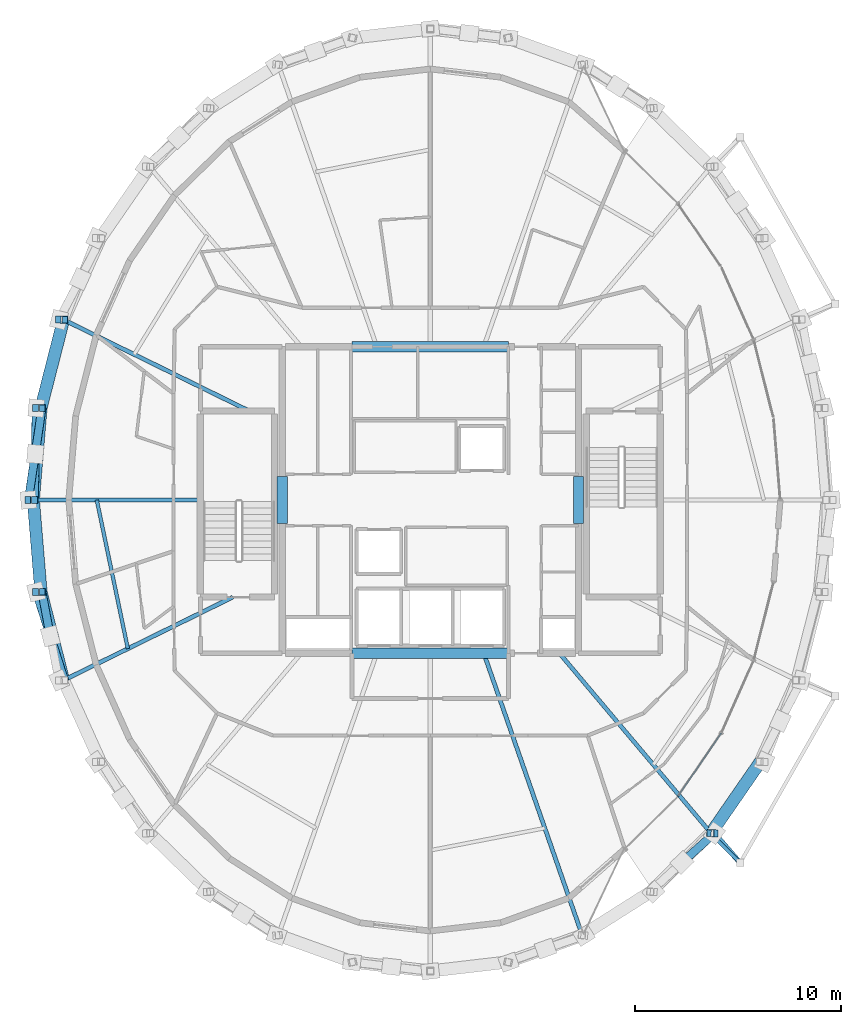
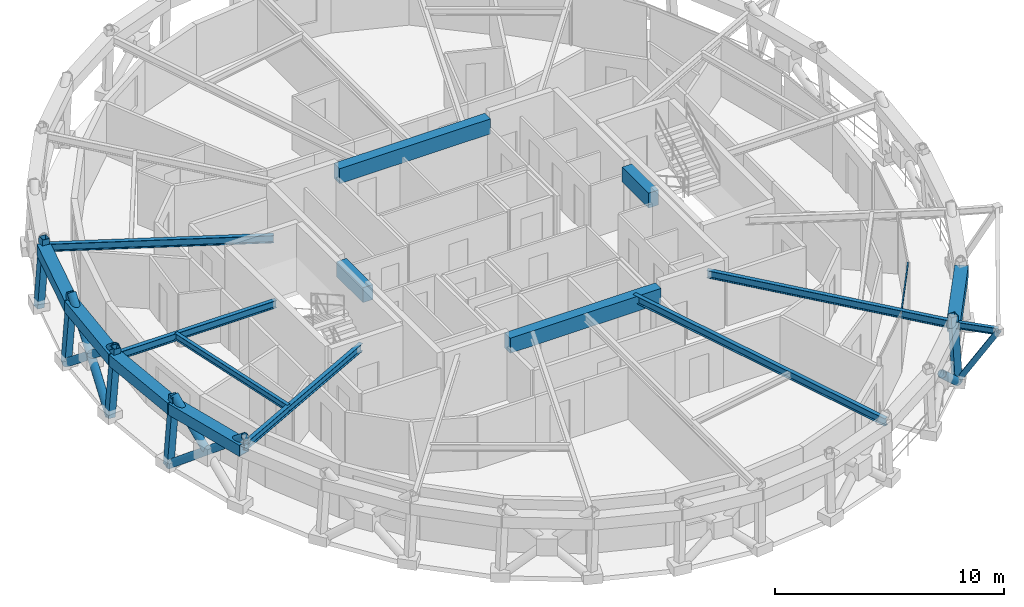
# One storey, part 3 of 14: 16 beams, 13 members, 1 element without a shape of its own.
"""IFC4 building model written with IfcOpenShell, lengths in metres."""

from ifc_helpers import new_model, si_unit, direction, frame, origin, origin_2d, place, context, subcontext, project, spatial, rectangle, hollow_rectangle, hollow_circle, i_section, extrude, material, layer, layer_set, material_profile, profile_set, type_object, element, aggregate, save


model = new_model("IFC4")

# Units and contexts
model_context = context("Model", 3, precision=1e-05, world=origin(), true_north=direction((0.0, 1.0)))
body_context = subcontext(model_context, "Body", "Model", "MODEL_VIEW")
ifc_project = project(units=[si_unit("LENGTHUNIT", "METRE"), si_unit("AREAUNIT", "SQUARE_METRE"), si_unit("VOLUMEUNIT", "CUBIC_METRE"), si_unit("PLANEANGLEUNIT", "RADIAN"), si_unit("MASSUNIT", "GRAM", prefix="KILO")], contexts=[model_context])

# Site, building, storey
site_placement = place(None, origin())
site = spatial("IfcSite", under=ifc_project, at=site_placement, CompositionType="ELEMENT")
building_placement = place(site_placement, origin())
building = spatial("IfcBuilding", under=site, at=building_placement, Name="Veldorina Hangang Commons", CompositionType="ELEMENT")
storey_placement = place(building_placement, frame((0.0, 0.0, 294.0)))
storey = spatial("IfcBuildingStorey", under=building, at=storey_placement, Name="L77", CompositionType="ELEMENT", Elevation=294.0)

# Beams
ifc_material_1 = material(Name="Steel SM460-TMC", Category="steel")
ifc_material_profile_1 = material_profile(ifc_material_1, hollow_rectangle(XDim=0.60009765625, YDim=0.60009765625, WallThickness=0.030029296875, at=origin_2d()), Name="BOX-600x600x30")
ifc_profile_set_1 = profile_set([ifc_material_profile_1], Name="Steel SM460-TMC")
beam_type_1 = type_object("IfcBeamType", Name="BM-BLT600", PredefinedType="BEAM", material=ifc_profile_set_1)
beam_1_placement = place(storey_placement, frame((14.17138671875, 32.764404296875, 3.0), z_axis=(-0.24768784321, -0.968839889933, 0.0), x_axis=(0.968839889933, -0.24768784321, 0.0)))
element("IfcBeam", 1, at=beam_1_placement, inside=storey, type_object=beam_type_1, Name="L77 perimeter hoop ring beam 14", PredefinedType="BEAM", context=body_context, shape_type="SweptSolid", body=[
    extrude(hollow_rectangle(XDim=0.60009765625, YDim=0.60009765625, WallThickness=0.030029296875, at=origin_2d()), origin(), (0.0, 0.0, 1.0), 4.4345703125),
])
for number, where, z_axis, x_axis, name in (
    (2, (13.072998046875, 28.468017578125, 3.0), (-0.082662412247, -0.996577606412, 0.0), (0.996577606412, -0.082662412247, 0.0), "L77 perimeter hoop ring beam 15"),
    (3, (12.702392578125, 24.0, 3.0), (0.082662412247, -0.996577606412, 0.0), (0.996577606412, 0.082662412247, 0.0), "L77 perimeter hoop ring beam 16"),
):
    element("IfcBeam", number, at=place(storey_placement, frame(where, z_axis=z_axis, x_axis=x_axis)), inside=storey, type_object=beam_type_1, Name=name, PredefinedType="BEAM", context=body_context, shape_type="SweptSolid", body=[
        extrude(hollow_rectangle(XDim=0.60009765625, YDim=0.60009765625, WallThickness=0.030029296875, at=origin_2d()), origin(), (0.0, 0.0, 1.0), 4.4833984375),
    ])
beam_2_placement = place(storey_placement, frame((13.072998046875, 19.531982421875, 3.0), z_axis=(0.24768784321, -0.968839889933, 0.0), x_axis=(0.968839889933, 0.24768784321, 0.0)))
element("IfcBeam", 4, at=beam_2_placement, inside=storey, type_object=beam_type_1, Name="L77 perimeter hoop ring beam 17", PredefinedType="BEAM", context=body_context, shape_type="SweptSolid", body=[
    extrude(hollow_rectangle(XDim=0.60009765625, YDim=0.60009765625, WallThickness=0.030029296875, at=origin_2d()), origin(), (0.0, 0.0, 1.0), 4.4345703125),
])
beam_3_placement = place(storey_placement, frame((45.6455078125, 7.805908203125, 3.0), z_axis=(0.56877362676, 0.822494110315, 0.0), x_axis=(-0.822494110315, 0.56877362676, 0.0)))
element("IfcBeam", 5, at=beam_3_placement, inside=storey, type_object=beam_type_1, Name="L77 perimeter hoop ring beam 28", PredefinedType="BEAM", context=body_context, shape_type="SweptSolid", body=[
    extrude(hollow_rectangle(XDim=0.60009765625, YDim=0.60009765625, WallThickness=0.030029296875, at=origin_2d()), origin(), (0.0, 0.0, 1.0), 4.219482421875),
])
ifc_material_2 = material(Name="Concrete C50/60", Category="concrete")
ifc_material_profile_2 = material_profile(ifc_material_2, rectangle(XDim=0.5, YDim=0.800048828125, at=origin_2d()), Name="RC-CB-500x800")
ifc_profile_set_2 = profile_set([ifc_material_profile_2], Name="Concrete C50/60")
beam_type_2 = type_object("IfcBeamType", Name="BM-CB800", PredefinedType="LINTEL", material=ifc_profile_set_2)
for number, where, z_axis, x_axis, name in (
    (6, (24.800048828125, 22.85009765625, 2.89990234375), (0.0, 1.0, 0.0), (-1.0, 0.0, 0.0), "L77 W core coupling lintel beam"),
    (7, (39.199951171875, 22.85009765625, 2.89990234375), (0.0, 1.0, 0.0), (-1.0, 0.0, 0.0), "L77 E core coupling lintel beam"),
):
    element("IfcBeam", number, at=place(storey_placement, frame(where, z_axis=z_axis, x_axis=x_axis)), inside=storey, type_object=beam_type_2, Name=name, PredefinedType="LINTEL", context=body_context, shape_type="SweptSolid", body=[
        extrude(rectangle(XDim=0.5, YDim=0.800048828125, at=origin_2d()), origin(), (0.0, 0.0, 1.0), 2.2998046875),
    ])
for number, where, z_axis, x_axis, name in (
    (8, (28.199951171875, 16.550048828125, 2.89990234375), (1.0, 0.0, 0.0), (0.0, 1.0, 0.0), "L77 south core coupling beam"),
    (9, (28.199951171875, 31.449951171875, 2.89990234375), (1.0, 0.0, 0.0), (0.0, 1.0, 0.0), "L77 north core coupling beam"),
):
    element("IfcBeam", number, at=place(storey_placement, frame(where, z_axis=z_axis, x_axis=x_axis)), inside=storey, type_object=beam_type_2, Name=name, PredefinedType="LINTEL", context=body_context, shape_type="SweptSolid", body=[
        extrude(rectangle(XDim=0.5, YDim=0.800048828125, at=origin_2d()), origin(), (0.0, 0.0, 1.0), 7.60009765625),
    ])
ifc_material_3 = material(Name="Steel SM355-TMC", Category="steel")
ifc_material_profile_3 = material_profile(ifc_material_3, i_section(OverallWidth=0.175048828125, OverallDepth=0.35009765625, WebThickness=0.007080078125, FlangeThickness=0.010986328125, FilletRadius=0.012939453125, at=origin_2d()), Name="H-350x175x7x11")
ifc_profile_set_3 = profile_set([ifc_material_profile_3], Name="Steel SM355-TMC")
beam_type_3 = type_object("IfcBeamType", Name="BM-FG350", PredefinedType="BEAM", material=ifc_profile_set_3)
beam_4_placement = place(storey_placement, frame((45.61181640625, 7.807373046875, 3.125), z_axis=(0.707047232845, -0.707166324513, 0.0), x_axis=(0.707166324513, 0.707047232845, 0.0)))
element("IfcBeam", 10, at=beam_4_placement, inside=storey, type_object=beam_type_3, Name="L78 tree balcony 1 bracket beam A", PredefinedType="BEAM", context=body_context, shape_type="SweptSolid", body=[
    extrude(i_section(OverallWidth=0.175048828125, OverallDepth=0.35009765625, WebThickness=0.007080078125, FlangeThickness=0.010986328125, FilletRadius=0.012939453125, at=origin_2d()), origin(), (0.0, 0.0, 1.0), 2.050048828125),
])
ifc_material_profile_4 = material_profile(ifc_material_3, i_section(OverallWidth=0.199951171875, OverallDepth=0.39990234375, WebThickness=0.008056640625, FlangeThickness=0.012939453125, FilletRadius=0.012939453125, at=origin_2d()), Name="H-400x200x8x13")
ifc_profile_set_4 = profile_set([ifc_material_profile_4], Name="Steel SM355-TMC")
beam_type_4 = type_object("IfcBeamType", Name="BM-FG400", PredefinedType="BEAM", material=ifc_profile_set_4)
beam_5_placement = place(storey_placement, frame((23.212158203125, 28.320068359375, 3.10009765625), z_axis=(-0.897426416291, 0.441164172778, 0.0), x_axis=(-0.441164172778, -0.897426416291, 0.0)))
element("IfcBeam", 11, at=beam_5_placement, inside=storey, type_object=beam_type_4, Name="L77 radial floor girder 08", PredefinedType="BEAM", context=body_context, shape_type="SweptSolid", body=[
    extrude(i_section(OverallWidth=0.199951171875, OverallDepth=0.39990234375, WebThickness=0.008056640625, FlangeThickness=0.012939453125, FilletRadius=0.012939453125, at=origin_2d()), origin(), (0.0, 0.0, 1.0), 10.07421875),
])
beam_6_placement = place(storey_placement, frame((20.820068359375, 24.0, 3.10009765625), z_axis=(-1.0, 0.0, 0.0), x_axis=(0.0, -1.0, 0.0)))
element("IfcBeam", 12, at=beam_6_placement, inside=storey, type_object=beam_type_4, Name="L77 radial floor girder 09", PredefinedType="BEAM", context=body_context, shape_type="SweptSolid", body=[
    extrude(i_section(OverallWidth=0.199951171875, OverallDepth=0.39990234375, WebThickness=0.008056640625, FlangeThickness=0.012939453125, FilletRadius=0.012939453125, at=origin_2d()), origin(), (0.0, 0.0, 1.0), 8.11767578125),
])
beam_7_placement = place(storey_placement, frame((22.3984375, 19.280029296875, 3.10009765625), z_axis=(-0.897421532059, -0.441174108258, 0.0), x_axis=(0.441174108258, -0.897421532059, 0.0)))
element("IfcBeam", 13, at=beam_7_placement, inside=storey, type_object=beam_type_4, Name="L77 radial floor girder 10", PredefinedType="BEAM", context=body_context, shape_type="SweptSolid", body=[
    extrude(i_section(OverallWidth=0.199951171875, OverallDepth=0.39990234375, WebThickness=0.008056640625, FlangeThickness=0.012939453125, FilletRadius=0.012939453125, at=origin_2d()), origin(), (0.0, 0.0, 1.0), 9.16748046875),
])
beam_8_placement = place(storey_placement, frame((34.60009765625, 16.550048828125, 3.10009765625), z_axis=(0.329543666577, -0.944140334812, 0.0), x_axis=(0.944140334812, 0.329543666577, 0.0)))
element("IfcBeam", 14, at=beam_8_placement, inside=storey, type_object=beam_type_4, Name="L77 radial floor girder 14", PredefinedType="BEAM", context=body_context, shape_type="SweptSolid", body=[
    extrude(i_section(OverallWidth=0.199951171875, OverallDepth=0.39990234375, WebThickness=0.008056640625, FlangeThickness=0.012939453125, FilletRadius=0.012939453125, at=origin_2d()), origin(), (0.0, 0.0, 1.0), 14.519775390625),
])
beam_9_placement = place(storey_placement, frame((38.277587890625, 16.550048828125, 3.10009765625), z_axis=(0.644362553982, -0.764720144253, 0.0), x_axis=(0.764720144253, 0.644362553982, 0.0)))
element("IfcBeam", 15, at=beam_9_placement, inside=storey, type_object=beam_type_4, Name="L77 radial floor girder 15", PredefinedType="BEAM", context=body_context, shape_type="SweptSolid", body=[
    extrude(i_section(OverallWidth=0.199951171875, OverallDepth=0.39990234375, WebThickness=0.008056640625, FlangeThickness=0.012939453125, FilletRadius=0.012939453125, at=origin_2d()), origin(), (0.0, 0.0, 1.0), 11.434326171875),
])
ifc_material_profile_5 = material_profile(ifc_material_3, i_section(OverallWidth=0.175048828125, OverallDepth=0.35009765625, WebThickness=0.007080078125, FlangeThickness=0.010986328125, FilletRadius=0.012939453125, at=origin_2d()), Name="H-350x175x7x11")
ifc_profile_set_5 = profile_set([ifc_material_profile_5], Name="Steel SM355-TMC")
beam_type_5 = type_object("IfcBeamType", Name="BM-JST350", PredefinedType="JOIST", material=ifc_profile_set_5)
beam_10_placement = place(storey_placement, frame((15.787109375, 24.0, 3.125), z_axis=(0.204572157356, -0.978851486404, 0.0), x_axis=(0.978851486404, 0.204572157356, 0.0)))
element("IfcBeam", 16, at=beam_10_placement, inside=storey, type_object=beam_type_5, Name="L77 secondary floor joist 09", PredefinedType="JOIST", context=body_context, shape_type="SweptSolid", body=[
    extrude(i_section(OverallWidth=0.175048828125, OverallDepth=0.35009765625, WebThickness=0.007080078125, FlangeThickness=0.010986328125, FilletRadius=0.012939453125, at=origin_2d()), origin(), (0.0, 0.0, 1.0), 7.3837890625),
])

# Curtain wall, member
ifc_material_4 = material(Name="Glass Low-E Selective", Category="glass")
ifc_layer = layer(ifc_material_4, 0.179931640625)
ifc_layer_set = layer_set([ifc_layer], Name="Glass Low-E Selective")
curtain_wall_type = type_object("IfcCurtainWallType", Name="CW-SYS-Z3", PredefinedType="NOTDEFINED", material=ifc_layer_set)
curtain_wall_placement = place(storey_placement, origin())
curtain_wall = element("IfcCurtainWall", 17, at=curtain_wall_placement, inside=storey, type_object=curtain_wall_type, Name="L77 unitised curtain wall CW-L77-R2", PredefinedType="NOTDEFINED")
ifc_material_5 = material(Name="Aluminium Anodized AA6063-T6", Category="aluminium")
ifc_material_profile_6 = material_profile(ifc_material_5, hollow_rectangle(XDim=0.06005859375, YDim=0.139892578125, WallThickness=0.00341796875, at=origin_2d()), Name="ALU-RHS-140x60x3.5")
ifc_profile_set_6 = profile_set([ifc_material_profile_6], Name="Aluminium Anodized AA6063-T6")
member_type_1 = type_object("IfcMemberType", Name="CW-TRN-140", PredefinedType="USERDEFINED", material=ifc_profile_set_6)
member_1_placement = place(storey_placement, frame((44.031982421875, 9.58056640625, 3.219970703125), z_axis=(0.565006343914, 0.825086559906, 0.0), x_axis=(-0.825086559906, 0.565006343914, 0.0)))
member_1 = element("IfcMember", 18, at=member_1_placement, type_object=member_type_1, Name="CW-L77-R2 facet 2 transom 1", ObjectType="TRANSOM", PredefinedType="USERDEFINED", context=body_context, shape_type="SweptSolid", body=[
    extrude(hollow_rectangle(XDim=0.06005859375, YDim=0.139892578125, WallThickness=0.00341796875, at=origin_2d()), origin(), (0.0, 0.0, 1.0), 3.745361328125),
])
aggregate(curtain_wall, [member_1])

# Members
ifc_material_profile_7 = material_profile(ifc_material_3, hollow_circle(Radius=0.199951171875, WallThickness=0.02001953125, at=origin_2d()), Name="CHS-400x20")
ifc_profile_set_7 = profile_set([ifc_material_profile_7], Name="Steel SM355-TMC")
member_type_2 = type_object("IfcMemberType", Name="DG-CHS400", PredefinedType="BRACE", material=ifc_profile_set_7)
member_2_placement = place(storey_placement, frame((12.83935546875, 28.469970703125, 0.0), z_axis=(-0.015566747188, -0.778720148259, 0.627178289706), x_axis=(0.999800256438, -0.019986175862, 0.0)))
element("IfcMember", 19, at=member_2_placement, inside=storey, type_object=member_type_2, Name="L77 continuous perimeter diagrid brace 15", PredefinedType="BRACE", context=body_context, shape_type="SweptSolid", body=[
    extrude(hollow_circle(Radius=0.199951171875, WallThickness=0.02001953125, at=origin_2d()), origin(), (0.0, 0.0, 1.0), 5.740234375),
])
member_3_placement = place(storey_placement, frame((12.464111328125, 24.0, 0.0), z_axis=(0.1144408161, 0.773532015472, 0.623339009408), x_axis=(-0.989232460201, 0.146352791861, 0.0)))
element("IfcMember", 20, at=member_3_placement, inside=storey, type_object=member_type_2, Name="L77 split perimeter diagrid lower brace 16", PredefinedType="BRACE", context=body_context, shape_type="SweptSolid", body=[
    extrude(hollow_circle(Radius=0.199951171875, WallThickness=0.02001953125, at=origin_2d()), origin(), (0.0, 0.0, 1.0), 2.888427734375),
])
member_4_placement = place(storey_placement, frame((12.794677734375, 26.234375, 1.800537109375), z_axis=(0.112665732622, 0.773688781004, 0.623467804174), x_axis=(-0.989562890954, 0.144101647617, 0.0)))
element("IfcMember", 21, at=member_4_placement, inside=storey, type_object=member_type_2, Name="L77 split perimeter diagrid upper brace 16", PredefinedType="BRACE", context=body_context, shape_type="SweptSolid", body=[
    extrude(hollow_circle(Radius=0.199951171875, WallThickness=0.02001953125, at=origin_2d()), origin(), (0.0, 0.0, 1.0), 2.886474609375),
])
member_5_placement = place(storey_placement, frame((12.83935546875, 19.530029296875, 0.0), z_axis=(0.238489118624, -0.744157139837, 0.623981643582), x_axis=(0.952290762564, 0.305192240294, 0.0)))
element("IfcMember", 22, at=member_5_placement, inside=storey, type_object=member_type_2, Name="L77 continuous perimeter diagrid brace 17", PredefinedType="BRACE", context=body_context, shape_type="SweptSolid", body=[
    extrude(hollow_circle(Radius=0.199951171875, WallThickness=0.02001953125, at=origin_2d()), origin(), (0.0, 0.0, 1.0), 5.76953125),
])
member_6_placement = place(storey_placement, frame((13.52783203125, 17.3818359375, 1.80126953125), z_axis=(-0.143988525803, 0.759063389467, 0.634893751117), x_axis=(-0.982479834992, -0.186368918637, 0.0)))
element("IfcMember", 23, at=member_6_placement, inside=storey, type_object=member_type_2, Name="L77 split perimeter diagrid upper brace 18", PredefinedType="BRACE", context=body_context, shape_type="SweptSolid", body=[
    extrude(hollow_circle(Radius=0.199951171875, WallThickness=0.02001953125, at=origin_2d()), origin(), (0.0, 0.0, 1.0), 2.833251953125),
])
member_7_placement = place(storey_placement, frame((45.81396484375, 7.798583984375, 0.0), z_axis=(-0.566056802488, -0.508179577137, 0.64910185159), x_axis=(0.668040711001, -0.744124726404, 0.0)))
element("IfcMember", 24, at=member_7_placement, inside=storey, type_object=member_type_2, Name="L77 split perimeter diagrid lower brace 28", PredefinedType="BRACE", context=body_context, shape_type="SweptSolid", body=[
    extrude(hollow_circle(Radius=0.199951171875, WallThickness=0.02001953125, at=origin_2d()), origin(), (0.0, 0.0, 1.0), 2.783935546875),
])
ifc_material_profile_8 = material_profile(ifc_material_3, hollow_rectangle(XDim=0.25, YDim=0.25, WallThickness=0.011962890625, at=origin_2d()), Name="SHS-250x250x12")
ifc_profile_set_8 = profile_set([ifc_material_profile_8], Name="Steel SM355-TMC")
member_type_3 = type_object("IfcMemberType", Name="STR-SHS250", PredefinedType="STRUT", material=ifc_profile_set_8)
member_8_placement = place(storey_placement, frame((45.81396484375, 7.798583984375, 0.0), z_axis=(0.34077006019, -0.393663122967, 0.853759399183), x_axis=(0.756073591526, 0.654486611167, 0.0)))
element("IfcMember", 25, at=member_8_placement, inside=storey, type_object=member_type_3, Name="L78 tree balcony 1 raking knee strut A", PredefinedType="STRUT", context=body_context, shape_type="SweptSolid", body=[
    extrude(hollow_rectangle(XDim=0.25, YDim=0.25, WallThickness=0.011962890625, at=origin_2d()), origin(), (0.0, 0.0, 1.0), 3.660400390625),
])
ifc_material_profile_9 = material_profile(ifc_material_3, hollow_rectangle(XDim=0.35009765625, YDim=0.35009765625, WallThickness=0.01611328125, at=origin_2d()), Name="SHS-350x350x16")
ifc_profile_set_9 = profile_set([ifc_material_profile_9], Name="Steel SM355-TMC")
member_type_4 = type_object("IfcMemberType", Name="STR-SHS350", PredefinedType="STRUT", material=ifc_profile_set_9)
member_9_placement = place(storey_placement, frame((13.951171875, 32.76806640625, 0.0), z_axis=(0.073179036176, -0.001285029286, 0.997317992099), x_axis=(0.017557367184, 0.999845857549, 0.0)))
element("IfcMember", 26, at=member_9_placement, inside=storey, type_object=member_type_4, Name="L77 perimeter ring node post 14", PredefinedType="STRUT", context=body_context, shape_type="SweptSolid", body=[
    extrude(hollow_rectangle(XDim=0.35009765625, YDim=0.35009765625, WallThickness=0.01611328125, at=origin_2d()), origin(), (0.0, 0.0, 1.0), 3.60986328125),
])
member_10_placement = place(storey_placement, frame((12.83935546875, 28.469970703125, 0.0), z_axis=(0.077683948184, -0.000676100506, 0.996977806715), x_axis=(0.008702890593, 0.999962129131, 0.0)))
element("IfcMember", 27, at=member_10_placement, inside=storey, type_object=member_type_4, Name="L77 perimeter ring node post 15", PredefinedType="STRUT", context=body_context, shape_type="SweptSolid", body=[
    extrude(hollow_rectangle(XDim=0.35009765625, YDim=0.35009765625, WallThickness=0.01611328125, at=origin_2d()), origin(), (0.0, 0.0, 1.0), 3.611083984375),
])
member_11_placement = place(storey_placement, frame((12.464111328125, 24.0, 0.0), z_axis=(0.07916215327, 0.0, 0.996861752446), x_axis=(0.0, 1.0, 0.0)))
element("IfcMember", 28, at=member_11_placement, inside=storey, type_object=member_type_4, Name="L77 perimeter ring node post 16", PredefinedType="STRUT", context=body_context, shape_type="SweptSolid", body=[
    extrude(hollow_rectangle(XDim=0.35009765625, YDim=0.35009765625, WallThickness=0.01611328125, at=origin_2d()), origin(), (0.0, 0.0, 1.0), 3.611328125),
])
member_12_placement = place(storey_placement, frame((12.83935546875, 19.530029296875, 0.0), z_axis=(0.077683948184, 0.000676100506, 0.996977806715), x_axis=(-0.008702890593, 0.999962129131, 0.0)))
element("IfcMember", 29, at=member_12_placement, inside=storey, type_object=member_type_4, Name="L77 perimeter ring node post 17", PredefinedType="STRUT", context=body_context, shape_type="SweptSolid", body=[
    extrude(hollow_rectangle(XDim=0.35009765625, YDim=0.35009765625, WallThickness=0.01611328125, at=origin_2d()), origin(), (0.0, 0.0, 1.0), 3.611083984375),
])
member_13_placement = place(storey_placement, frame((45.81396484375, 7.798583984375, 0.0), z_axis=(-0.056062343417, 0.002437493192, 0.998424294715), x_axis=(-0.043437224276, -0.999056158355, 0.0)))
element("IfcMember", 30, at=member_13_placement, inside=storey, type_object=member_type_4, Name="L77 perimeter ring node post 28", PredefinedType="STRUT", context=body_context, shape_type="SweptSolid", body=[
    extrude(hollow_rectangle(XDim=0.35009765625, YDim=0.35009765625, WallThickness=0.01611328125, at=origin_2d()), origin(), (0.0, 0.0, 1.0), 3.605712890625),
])

save(model, "model.ifc")
